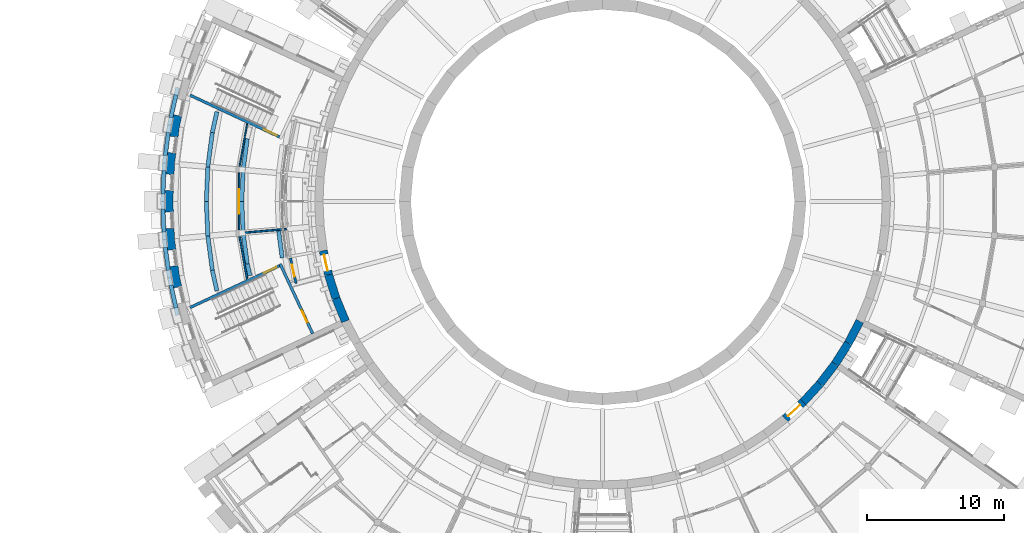
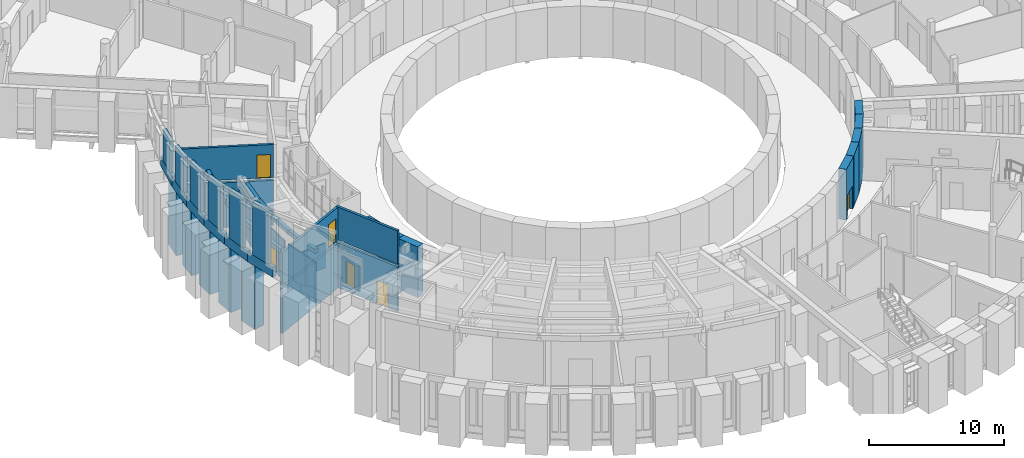
# One storey, part 40 of 66: 48 walls, 7 doors, 7 openings.
"""IFC4 building model written with IfcOpenShell, lengths in metres."""

from ifc_helpers import new_model, si_unit, direction, frame, frame_2d, origin, place, context, subcontext, project, spatial, polyline, rectangle, outline, extrude, material, layer, layer_set, type_object, element, fill, save


model = new_model("IFC4")

# Units and contexts
model_context = context("Model", 3, precision=1e-05, world=origin(), true_north=direction((0.0, 1.0)))
body_context = subcontext(model_context, "Body", "Model", "MODEL_VIEW")
ifc_project = project(units=[si_unit("LENGTHUNIT", "METRE"), si_unit("AREAUNIT", "SQUARE_METRE"), si_unit("VOLUMEUNIT", "CUBIC_METRE"), si_unit("PLANEANGLEUNIT", "RADIAN"), si_unit("MASSUNIT", "GRAM", prefix="KILO")], contexts=[model_context])

# Site, building, storey
site_placement = place(None, origin())
site = spatial("IfcSite", under=ifc_project, at=site_placement, CompositionType="ELEMENT")
building_placement = place(site_placement, origin())
building = spatial("IfcBuilding", under=site, at=building_placement, Name="Volute Hill Aquarium", CompositionType="ELEMENT")
storey_placement = place(building_placement, frame((0.0, 0.0, 4.60009765625)))
storey = spatial("IfcBuildingStorey", under=building, at=storey_placement, Name="L02", CompositionType="ELEMENT", Elevation=4.60009765625)

# Wall
ifc_material_1 = material(Name="Concrete C30/37", Category="concrete")
ifc_layer_1 = layer(ifc_material_1, 0.199951171875)
ifc_layer_set_1 = layer_set([ifc_layer_1], Name="Core wall 200 REI 60")
wall_type_1 = type_object("IfcWallType", Name="Core wall 200 REI 60", PredefinedType="SHEAR", material=ifc_layer_set_1)
wall_1_placement = place(storey_placement, frame((-23.5712890625, 4.7021484375, 0.0), z_axis=(0.0, 0.0, 1.0), x_axis=(-0.906300917592, 0.422632992999, 0.0)))
element("IfcWall", 1, at=wall_1_placement, inside=storey, type_object=wall_type_1, Name="wc/S1-A/L02/side", PredefinedType="SHEAR", context=body_context, shape_type="SweptSolid", body=[
    extrude(rectangle(XDim=7.199951171875, YDim=0.199951171875, at=frame_2d((3.60009765625, 0.0))), origin(), (0.0, 0.0, 1.0), 4.06982421875),
])

# Wall, opening, door
wall_2_placement = place(storey_placement, frame((-23.5712890625, 4.7021484375, 4.31982421875), z_axis=(0.0, 0.0, 1.0), x_axis=(-0.906300917592, 0.422632992999, 0.0)))
wall_2 = element("IfcWall", 2, at=wall_2_placement, inside=storey, type_object=wall_type_1, Name="wc/S1-A/L02/side-h", PredefinedType="SHEAR", context=body_context, shape_type="SweptSolid", body=[
    extrude(rectangle(XDim=7.199951171875, YDim=0.199951171875, at=frame_2d((3.60009765625, 0.0))), origin(), (0.0, 0.0, 1.0), 3.0),
])
opening_1_placement = place(wall_2_placement, frame((0.25, 0.0, 0.0029296875)))
opening_1 = element("IfcOpeningElement", 3, at=opening_1_placement, cuts=wall_2, Name="Opening D1.02.AG", PredefinedType="OPENING", context=body_context, shape_type="SweptSolid", body=[
    extrude(rectangle(XDim=1.0, YDim=2.10009765625, at=frame_2d((0.5, 1.050048828125))), frame((0.0, 0.10986328125, 0.0), z_axis=(0.0, -1.0, 0.0), x_axis=(1.0, 0.0, 0.0)), (0.0, 0.0, 1.0), 0.219970703125),
])
ifc_material_2 = material(Name="Timber, fire-rated", Category="wood")
door_type_1 = type_object("IfcDoorType", Name="Door 1000 x 2100 single EI1 30", OperationType="SINGLE_SWING_LEFT", PredefinedType="DOOR", material=ifc_material_2)
door_1_placement = place(opening_1_placement, origin())
door_1 = element("IfcDoor", 4, at=door_1_placement, inside=storey, type_object=door_type_1, Name="d/S1-A/L02/gd", OperationType="SINGLE_SWING_LEFT", OverallHeight=2.10009765625, OverallWidth=1.0, PredefinedType="DOOR", context=body_context, shape_type="SweptSolid", body=[
    extrude(rectangle(XDim=1.0, YDim=2.10009765625, at=frame_2d((0.5, 1.050048828125))), frame((0.0, 0.02490234375, 0.0), z_axis=(0.0, -1.0, 0.0), x_axis=(1.0, 0.0, 0.0)), (0.0, 0.0, 1.0), 0.050048828125),
])
fill(opening_1, door_1)

wall_3_placement = place(storey_placement, frame((-21.15625, -9.64453125, 0.0), z_axis=(0.0, 0.0, 1.0), x_axis=(-0.422596646043, 0.906317866288, 0.0)))
wall_3 = element("IfcWall", 5, at=wall_3_placement, inside=storey, type_object=wall_type_1, Name="wc/S1-B/L02/in", PredefinedType="SHEAR", context=body_context, shape_type="SweptSolid", body=[
    extrude(rectangle(XDim=5.599853515625, YDim=0.199951171875, at=frame_2d((2.7998046875, 0.0))), origin(), (0.0, 0.0, 1.0), 4.06982421875),
])
opening_2_placement = place(wall_3_placement, frame((0.89990234375, 0.0, 0.0)))
opening_2 = element("IfcOpeningElement", 6, at=opening_2_placement, cuts=wall_3, Name="Opening D1.02.BS", PredefinedType="OPENING", context=body_context, shape_type="SweptSolid", body=[
    extrude(rectangle(XDim=1.0, YDim=2.10009765625, at=frame_2d((0.5, 1.050048828125))), frame((0.0, 0.10986328125, 0.0), z_axis=(0.0, -1.0, 0.0), x_axis=(1.0, 0.0, 0.0)), (0.0, 0.0, 1.0), 0.219970703125),
])
door_2_placement = place(opening_2_placement, origin())
door_2 = element("IfcDoor", 7, at=door_2_placement, inside=storey, type_object=door_type_1, Name="d/S1-B/L02/st", OperationType="SINGLE_SWING_RIGHT", OverallHeight=2.10009765625, OverallWidth=1.0, PredefinedType="DOOR", context=body_context, shape_type="SweptSolid", body=[
    extrude(rectangle(XDim=1.0, YDim=2.10009765625, at=frame_2d((0.5, 1.050048828125))), frame((0.0, 0.02490234375, 0.0), z_axis=(0.0, -1.0, 0.0), x_axis=(1.0, 0.0, 0.0)), (0.0, 0.0, 1.0), 0.050048828125),
])
fill(opening_2, door_2)

# Walls
wall_4_placement = place(storey_placement, frame((-21.15625, -9.64453125, 4.31982421875), z_axis=(0.0, 0.0, 1.0), x_axis=(-0.422596646043, 0.906317866288, 0.0)))
element("IfcWall", 8, at=wall_4_placement, inside=storey, type_object=wall_type_1, Name="wc/S1-B/L02/in-h", PredefinedType="SHEAR", context=body_context, shape_type="SweptSolid", body=[
    extrude(rectangle(XDim=5.599853515625, YDim=0.199951171875, at=frame_2d((2.7998046875, 0.0))), origin(), (0.0, 0.0, 1.0), 3.0),
])
wall_5_placement = place(storey_placement, frame((-23.5712890625, -4.7021484375, 0.0), z_axis=(0.0, 0.0, 1.0), x_axis=(-0.906300917592, -0.422632992999, 0.0)))
element("IfcWall", 9, at=wall_5_placement, inside=storey, type_object=wall_type_1, Name="wc/S1-B/L02/side", PredefinedType="SHEAR", context=body_context, shape_type="SweptSolid", body=[
    extrude(rectangle(XDim=7.199951171875, YDim=0.199951171875, at=frame_2d((3.60009765625, 0.0))), origin(), (0.0, 0.0, 1.0), 4.06982421875),
])

# Wall, opening, door
wall_6_placement = place(storey_placement, frame((-23.5712890625, -4.7021484375, 4.31982421875), z_axis=(0.0, 0.0, 1.0), x_axis=(-0.906300917592, -0.422632992999, 0.0)))
wall_6 = element("IfcWall", 10, at=wall_6_placement, inside=storey, type_object=wall_type_1, Name="wc/S1-B/L02/side-h", PredefinedType="SHEAR", context=body_context, shape_type="SweptSolid", body=[
    extrude(rectangle(XDim=7.199951171875, YDim=0.199951171875, at=frame_2d((3.60009765625, 0.0))), origin(), (0.0, 0.0, 1.0), 3.0),
])
opening_3_placement = place(wall_6_placement, frame((0.25, 0.0, 0.0029296875)))
opening_3 = element("IfcOpeningElement", 11, at=opening_3_placement, cuts=wall_6, Name="Opening D1.02.BG", PredefinedType="OPENING", context=body_context, shape_type="SweptSolid", body=[
    extrude(rectangle(XDim=1.0, YDim=2.10009765625, at=frame_2d((0.5, 1.050048828125))), frame((0.0, 0.10986328125, 0.0), z_axis=(0.0, -1.0, 0.0), x_axis=(1.0, 0.0, 0.0)), (0.0, 0.0, 1.0), 0.219970703125),
])
door_3_placement = place(opening_3_placement, origin())
door_3 = element("IfcDoor", 12, at=door_3_placement, inside=storey, type_object=door_type_1, Name="d/S1-B/L02/gd", OperationType="SINGLE_SWING_LEFT", OverallHeight=2.10009765625, OverallWidth=1.0, PredefinedType="DOOR", context=body_context, shape_type="SweptSolid", body=[
    extrude(rectangle(XDim=1.0, YDim=2.10009765625, at=frame_2d((0.5, 1.050048828125))), frame((0.0, 0.02490234375, 0.0), z_axis=(0.0, -1.0, 0.0), x_axis=(1.0, 0.0, 0.0)), (0.0, 0.0, 1.0), 0.050048828125),
])
fill(opening_3, door_3)

ifc_material_3 = material(Name="Gypsum board on steel studs", Category="steel")
ifc_layer_2 = layer(ifc_material_3, 0.175048828125)
ifc_layer_set_2 = layer_set([ifc_layer_2], Name="Corridor partition 175 EI 60")
wall_type_2 = type_object("IfcWallType", Name="Corridor partition 175 EI 60", PredefinedType="PARTITIONING", material=ifc_layer_set_2)
wall_7_placement = place(storey_placement, frame((-22.361083984375, -5.99169921875, 0.0), z_axis=(0.0, 0.0, 1.0), x_axis=(-0.216536312187, 0.97627456461, 0.0)))
wall_7 = element("IfcWall", 13, at=wall_7_placement, inside=storey, type_object=wall_type_2, Name="pw/S1/L02/009", PredefinedType="PARTITIONING", context=body_context, shape_type="SweptSolid", body=[
    extrude(rectangle(XDim=1.902099609375, YDim=0.175048828125, at=frame_2d((0.951171875, 0.0))), origin(), (0.0, 0.0, 1.0), 2.25),
])
opening_4_placement = place(wall_7_placement, frame((0.5009765625, 0.0, 0.0)))
opening_4 = element("IfcOpeningElement", 14, at=opening_4_placement, cuts=wall_7, Name="Opening D1.02.02", PredefinedType="OPENING", context=body_context, shape_type="SweptSolid", body=[
    extrude(rectangle(XDim=0.89990234375, YDim=2.10009765625, at=frame_2d((0.449951171875, 1.050048828125))), frame((0.0, 0.097412109375, 0.0), z_axis=(0.0, -1.0, 0.0), x_axis=(1.0, 0.0, 0.0)), (0.0, 0.0, 1.0), 0.195068359375),
])
ifc_material_4 = material(Name="Timber, fire-rated", Category="wood")
door_type_2 = type_object("IfcDoorType", Name="Door 900 x 2100 wc single EI1 30", OperationType="SINGLE_SWING_LEFT", PredefinedType="DOOR", material=ifc_material_4)
door_4_placement = place(opening_4_placement, origin())
door_4 = element("IfcDoor", 15, at=door_4_placement, inside=storey, type_object=door_type_2, Name="d/S1/L02/02", OperationType="SINGLE_SWING_RIGHT", OverallHeight=2.10009765625, OverallWidth=0.89990234375, PredefinedType="DOOR", context=body_context, shape_type="SweptSolid", body=[
    extrude(rectangle(XDim=0.89990234375, YDim=2.10009765625, at=frame_2d((0.449951171875, 1.050048828125))), frame((0.0, 0.02490234375, 0.0), z_axis=(0.0, -1.0, 0.0), x_axis=(1.0, 0.0, 0.0)), (0.0, 0.0, 1.0), 0.050048828125),
])
fill(opening_4, door_4)

# Walls
ifc_material_5 = material(Name="Precast concrete C40/50", Category="concrete")
ifc_layer_3 = layer(ifc_material_5, 0.300048828125)
ifc_layer_set_3 = layer_set([ifc_layer_3], Name="Crown screen wall precast concrete C40/50 300")
wall_type_3 = type_object("IfcWallType", Name="Crown screen wall precast concrete C40/50 300", PredefinedType="NOTDEFINED", material=ifc_layer_set_3)
wall_8_placement = place(storey_placement, frame((0.0, 0.0, 6.659912109375)))
element("IfcWall", 16, at=wall_8_placement, inside=storey, type_object=wall_type_3, Name="Crown screen wall CSW S1 3", PredefinedType="NOTDEFINED", context=body_context, shape_type="SweptSolid", body=[
    extrude(outline(polyline([(-31.271484375, 7.80615234375), (-31.640625, 6.14111328125), (-31.344970703125, 6.0888671875), (-30.9814453125, 7.728515625), (-31.271484375, 7.80615234375)])), origin(), (0.0, 0.0, 1.0), 2.808837890625),
])
wall_9_placement = place(storey_placement, frame((0.0, 0.0, 6.659912109375)))
element("IfcWall", 17, at=wall_9_placement, inside=storey, type_object=wall_type_3, Name="Crown screen wall CSW S1 4", PredefinedType="NOTDEFINED", context=body_context, shape_type="SweptSolid", body=[
    extrude(outline(polyline([(-31.832763671875, 5.051025390625), (-32.055419921875, 3.360107421875), (-31.75634765625, 3.333984375), (-31.537109375, 4.998779296875), (-31.832763671875, 5.051025390625)])), origin(), (0.0, 0.0, 1.0), 3.205078125),
])
wall_10_placement = place(storey_placement, frame((0.0, 0.0, 6.659912109375)))
element("IfcWall", 18, at=wall_10_placement, inside=storey, type_object=wall_type_3, Name="Crown screen wall CSW S1 5", PredefinedType="NOTDEFINED", context=body_context, shape_type="SweptSolid", body=[
    extrude(outline(polyline([(-32.15185546875, 2.25732421875), (-32.226318359375, 0.553466796875), (-31.926025390625, 0.553466796875), (-31.852783203125, 2.231201171875), (-32.15185546875, 2.25732421875)])), origin(), (0.0, 0.0, 1.0), 3.601318359375),
])
wall_11_placement = place(storey_placement, frame((0.0, 0.0, 6.659912109375)))
element("IfcWall", 19, at=wall_11_placement, inside=storey, type_object=wall_type_3, Name="Crown screen wall CSW S1 6", PredefinedType="NOTDEFINED", context=body_context, shape_type="SweptSolid", body=[
    extrude(outline(polyline([(-32.226318359375, -0.553466796875), (-32.15185546875, -2.25732421875), (-31.852783203125, -2.231201171875), (-31.926025390625, -0.553466796875), (-32.226318359375, -0.553466796875)])), origin(), (0.0, 0.0, 1.0), 3.99755859375),
])
wall_12_placement = place(storey_placement, frame((0.0, 0.0, 6.659912109375)))
element("IfcWall", 20, at=wall_12_placement, inside=storey, type_object=wall_type_3, Name="Crown screen wall CSW S1 7", PredefinedType="NOTDEFINED", context=body_context, shape_type="SweptSolid", body=[
    extrude(outline(polyline([(-32.055419921875, -3.360107421875), (-31.832763671875, -5.051025390625), (-31.537109375, -4.998779296875), (-31.75634765625, -3.333984375), (-32.055419921875, -3.360107421875)])), origin(), (0.0, 0.0, 1.0), 4.393798828125),
])
wall_13_placement = place(storey_placement, frame((0.0, 0.0, 6.659912109375)))
element("IfcWall", 21, at=wall_13_placement, inside=storey, type_object=wall_type_3, Name="Crown screen wall CSW S1 8", PredefinedType="NOTDEFINED", context=body_context, shape_type="SweptSolid", body=[
    extrude(outline(polyline([(-31.640625, -6.14111328125), (-31.271484375, -7.80615234375), (-30.9814453125, -7.728515625), (-31.3447265625, -6.089111328125), (-31.640625, -6.14111328125)])), origin(), (0.0, 0.0, 1.0), 4.7900390625),
])

# Wall, opening, door
ifc_material_6 = material(Name="Concrete C35/45", Category="concrete")
ifc_layer_4 = layer(ifc_material_6, 0.60009765625)
ifc_layer_set_4 = layer_set([ifc_layer_4], Name="Drum wall C35/45 600")
wall_type_4 = type_object("IfcWallType", Name="Drum wall C35/45 600", PredefinedType="SHEAR", material=ifc_layer_set_4)
wall_14_placement = place(storey_placement, frame((-20.385498046875, -3.594482421875, 0.0), z_axis=(0.0, 0.0, 1.0), x_axis=(0.216429453554, -0.976298259567, 0.0)))
wall_14 = element("IfcWall", 22, at=wall_14_placement, inside=storey, type_object=wall_type_4, Name="sw/DR/L02/38", PredefinedType="SHEAR", context=body_context, shape_type="SweptSolid", body=[
    extrude(rectangle(XDim=1.805908203125, YDim=0.60009765625, at=frame_2d((0.90283203125, 0.0))), origin(), (0.0, 0.0, 1.0), 4.599853515625),
])
opening_5_placement = place(wall_14_placement, frame((0.302978515625, 0.0, 0.0)))
opening_5 = element("IfcOpeningElement", 23, at=opening_5_placement, cuts=wall_14, Name="Opening D1.02.R2", PredefinedType="OPENING", context=body_context, shape_type="SweptSolid", body=[
    extrude(rectangle(XDim=1.199951171875, YDim=2.10009765625, at=frame_2d((0.60009765625, 1.050048828125))), frame((0.0, 0.31005859375, 0.0), z_axis=(0.0, -1.0, 0.0), x_axis=(1.0, 0.0, 0.0)), (0.0, 0.0, 1.0), 0.6201171875),
])
ifc_material_7 = material(Name="Timber", Category="wood")
door_type_3 = type_object("IfcDoorType", Name="Door 1200 x 2100 drum double", OperationType="DOUBLE_DOOR_SINGLE_SWING", PredefinedType="DOOR", material=ifc_material_7)
door_5_placement = place(opening_5_placement, origin())
door_5 = element("IfcDoor", 24, at=door_5_placement, inside=storey, type_object=door_type_3, Name="d/S1/L02/dr2", OperationType="SINGLE_SWING_LEFT", OverallHeight=2.10009765625, OverallWidth=1.199951171875, PredefinedType="DOOR", context=body_context, shape_type="SweptSolid", body=[
    extrude(rectangle(XDim=1.199951171875, YDim=2.10009765625, at=frame_2d((0.60009765625, 1.050048828125))), frame((0.0, 0.02490234375, 0.0), z_axis=(0.0, -1.0, 0.0), x_axis=(1.0, 0.0, 0.0)), (0.0, 0.0, 1.0), 0.050048828125),
])
fill(opening_5, door_5)

# Walls
wall_15_placement = place(storey_placement, frame((-19.99462890625, -5.357666015625, 0.0), z_axis=(0.0, 0.0, 1.0), x_axis=(0.300691330354, -0.953721512733, 0.0)))
element("IfcWall", 25, at=wall_15_placement, inside=storey, type_object=wall_type_4, Name="sw/DR/L02/39", PredefinedType="SHEAR", context=body_context, shape_type="SweptSolid", body=[
    extrude(rectangle(XDim=1.8056640625, YDim=0.60009765625, at=frame_2d((0.90283203125, 0.0))), origin(), (0.0, 0.0, 1.0), 4.599853515625),
])
wall_16_placement = place(storey_placement, frame((-19.45166015625, -7.079833984375, 0.0), z_axis=(0.0, 0.0, 1.0), x_axis=(0.382713954298, -0.923866889322, 0.0)))
element("IfcWall", 26, at=wall_16_placement, inside=storey, type_object=wall_type_4, Name="sw/DR/L02/40", PredefinedType="SHEAR", context=body_context, shape_type="SweptSolid", body=[
    extrude(rectangle(XDim=1.805908203125, YDim=0.60009765625, at=frame_2d((0.90283203125, 0.0))), origin(), (0.0, 0.0, 1.0), 4.599853515625),
])

# Wall, opening, door
wall_17_placement = place(storey_placement, frame((13.3056640625, -15.857177734375, 0.0), z_axis=(0.0, 0.0, 1.0), x_axis=(0.737322466268, 0.675540954152, 0.0)))
wall_17 = element("IfcWall", 27, at=wall_17_placement, inside=storey, type_object=wall_type_4, Name="sw/DR/L02/62", PredefinedType="SHEAR", context=body_context, shape_type="SweptSolid", body=[
    extrude(rectangle(XDim=1.805908203125, YDim=0.60009765625, at=frame_2d((0.90283203125, 0.0))), origin(), (0.0, 0.0, 1.0), 4.599853515625),
])
opening_6_placement = place(wall_17_placement, frame((0.302978515625, 0.0, 0.0)))
opening_6 = element("IfcOpeningElement", 28, at=opening_6_placement, cuts=wall_17, Name="Opening D3.02.R2", PredefinedType="OPENING", context=body_context, shape_type="SweptSolid", body=[
    extrude(rectangle(XDim=1.199951171875, YDim=2.10009765625, at=frame_2d((0.60009765625, 1.050048828125))), frame((0.0, 0.31005859375, 0.0), z_axis=(0.0, -1.0, 0.0), x_axis=(1.0, 0.0, 0.0)), (0.0, 0.0, 1.0), 0.6201171875),
])
door_6_placement = place(opening_6_placement, origin())
door_6 = element("IfcDoor", 29, at=door_6_placement, inside=storey, type_object=door_type_3, Name="d/S3/L02/dr2", OperationType="SINGLE_SWING_LEFT", OverallHeight=2.10009765625, OverallWidth=1.199951171875, PredefinedType="DOOR", context=body_context, shape_type="SweptSolid", body=[
    extrude(rectangle(XDim=1.199951171875, YDim=2.10009765625, at=frame_2d((0.60009765625, 1.050048828125))), frame((0.0, 0.02490234375, 0.0), z_axis=(0.0, -1.0, 0.0), x_axis=(1.0, 0.0, 0.0)), (0.0, 0.0, 1.0), 0.050048828125),
])
fill(opening_6, door_6)

# Walls
wall_18_placement = place(storey_placement, frame((14.63720703125, -14.63720703125, 0.0), z_axis=(0.0, 0.0, 1.0), x_axis=(0.675540954152, 0.737322466268, 0.0)))
element("IfcWall", 30, at=wall_18_placement, inside=storey, type_object=wall_type_4, Name="sw/DR/L02/63", PredefinedType="SHEAR", context=body_context, shape_type="SweptSolid", body=[
    extrude(rectangle(XDim=1.805908203125, YDim=0.60009765625, at=frame_2d((0.90283203125, 0.0))), origin(), (0.0, 0.0, 1.0), 4.599853515625),
])
wall_19_placement = place(storey_placement, frame((15.857177734375, -13.3056640625, 0.0), z_axis=(0.0, 0.0, 1.0), x_axis=(0.608704004289, 0.793397400526, 0.0)))
element("IfcWall", 31, at=wall_19_placement, inside=storey, type_object=wall_type_4, Name="sw/DR/L02/64", PredefinedType="SHEAR", context=body_context, shape_type="SweptSolid", body=[
    extrude(rectangle(XDim=1.8056640625, YDim=0.60009765625, at=frame_2d((0.90283203125, 0.0))), origin(), (0.0, 0.0, 1.0), 4.599853515625),
])
for number, where, z_axis, x_axis, name in (
    (32, (16.956298828125, -11.873046875, 0.0), (0.0, 0.0, 1.0), (0.537391510251, 0.843332890803, 0.0), "sw/DR/L02/65"),
    (33, (17.9267578125, -10.35009765625, 0.0), (0.0, 0.0, 1.0), (0.461701764231, 0.887035219654, 0.0), "sw/DR/L02/66"),
):
    element("IfcWall", number, at=place(storey_placement, frame(where, z_axis=z_axis, x_axis=x_axis)), inside=storey, type_object=wall_type_4, Name=name, PredefinedType="SHEAR", context=body_context, shape_type="SweptSolid", body=[
        extrude(rectangle(XDim=1.805908203125, YDim=0.60009765625, at=frame_2d((0.90283203125, 0.0))), origin(), (0.0, 0.0, 1.0), 4.599853515625),
    ])

# Wall, opening, door
ifc_material_8 = material(Name="Gypsum board on steel studs", Category="steel")
ifc_layer_5 = layer(ifc_material_8, 0.10009765625)
ifc_layer_set_5 = layer_set([ifc_layer_5], Name="Light partition 100")
wall_type_5 = type_object("IfcWallType", Name="Light partition 100", PredefinedType="PARTITIONING", material=ifc_layer_set_5)
wall_20_placement = place(storey_placement, frame((-26.523681640625, -2.08056640625, 0.0), z_axis=(0.0, 0.0, 1.0), x_axis=(0.0, 1.0, 0.0)))
wall_20 = element("IfcWall", 34, at=wall_20_placement, inside=storey, type_object=wall_type_5, Name="pw/S1/L02/001", PredefinedType="PARTITIONING", context=body_context, shape_type="SweptSolid", body=[
    extrude(rectangle(XDim=4.1611328125, YDim=0.10009765625, at=frame_2d((2.08056640625, 0.0))), origin(), (0.0, 0.0, 1.0), 3.68994140625),
])
opening_7_placement = place(wall_20_placement, frame((1.180419921875, 0.0, 0.0)))
opening_7 = element("IfcOpeningElement", 35, at=opening_7_placement, cuts=wall_20, Name="Opening D1.02.03", PredefinedType="OPENING", context=body_context, shape_type="SweptSolid", body=[
    extrude(rectangle(XDim=1.800048828125, YDim=2.39990234375, at=frame_2d((0.89990234375, 1.199951171875))), frame((0.0, 0.06005859375, 0.0), z_axis=(0.0, -1.0, 0.0), x_axis=(1.0, 0.0, 0.0)), (0.0, 0.0, 1.0), 0.1201171875),
])
ifc_material_9 = material(Name="Timber", Category="wood")
door_type_4 = type_object("IfcDoorType", Name="Door 1800 x 2400 gallery double", OperationType="DOUBLE_DOOR_SINGLE_SWING", PredefinedType="DOOR", material=ifc_material_9)
door_7_placement = place(opening_7_placement, origin())
door_7 = element("IfcDoor", 36, at=door_7_placement, inside=storey, type_object=door_type_4, Name="d/S1/L02/03", OperationType="SINGLE_SWING_LEFT", OverallHeight=2.39990234375, OverallWidth=1.800048828125, PredefinedType="DOOR", context=body_context, shape_type="SweptSolid", body=[
    extrude(rectangle(XDim=1.800048828125, YDim=2.39990234375, at=frame_2d((0.89990234375, 1.199951171875))), frame((0.0, 0.02490234375, 0.0), z_axis=(0.0, -1.0, 0.0), x_axis=(1.0, 0.0, 0.0)), (0.0, 0.0, 1.0), 0.050048828125),
])
fill(opening_7, door_7)

# Walls
wall_21_placement = place(storey_placement, frame((-26.482177734375, 2.556640625, 0.0), z_axis=(0.0, 0.0, 1.0), x_axis=(0.173648360974, 0.98480772069, 0.0)))
element("IfcWall", 37, at=wall_21_placement, inside=storey, type_object=wall_type_5, Name="pw/S1/L02/003", PredefinedType="PARTITIONING", context=body_context, shape_type="SweptSolid", body=[
    extrude(rectangle(XDim=3.152099609375, YDim=0.10009765625, at=frame_2d((1.576171875, 0.0))), origin(), (0.0, 0.0, 1.0), 3.68994140625),
])
ifc_material_10 = material(Name="Precast concrete C40/50", Category="concrete")
ifc_layer_6 = layer(ifc_material_10, 0.89990234375)
ifc_layer_set_6 = layer_set([ifc_layer_6], Name="Outer pier precast concrete C40/50 900")
wall_type_6 = type_object("IfcWallType", Name="Outer pier precast concrete C40/50 900", PredefinedType="NOTDEFINED", material=ifc_layer_set_6)
wall_22_placement = place(storey_placement, origin())
element("IfcWall", 38, at=wall_22_placement, inside=storey, type_object=wall_type_6, Name="Outer pier OWP S1 L02 4", PredefinedType="NOTDEFINED", context=body_context, shape_type="SweptSolid", body=[
    extrude(outline(polyline([(-30.70654296875, 6.196533203125), (-31.585205078125, 6.39111328125), (-31.8662109375, 4.796875), (-30.973876953125, 4.679443359375), (-30.873291015625, 5.44384765625), (-30.70654296875, 6.196533203125)])), origin(), (0.0, 0.0, 1.0), 5.760009765625),
])
wall_23_placement = place(storey_placement, origin())
element("IfcWall", 39, at=wall_23_placement, inside=storey, type_object=wall_type_6, Name="Outer pier OWP S1 L02 5", PredefinedType="NOTDEFINED", context=body_context, shape_type="SweptSolid", body=[
    extrude(outline(polyline([(-31.129638671875, 3.49658203125), (-32.02197265625, 3.614013671875), (-32.1630859375, 2.001220703125), (-31.263916015625, 1.962158203125), (-31.230224609375, 2.732421875), (-31.129638671875, 3.49658203125)])), origin(), (0.0, 0.0, 1.0), 5.760009765625),
])
wall_24_placement = place(storey_placement, origin())
element("IfcWall", 40, at=wall_24_placement, inside=storey, type_object=wall_type_6, Name="Outer pier OWP S1 L02 6", PredefinedType="NOTDEFINED", context=body_context, shape_type="SweptSolid", body=[
    extrude(outline(polyline([(-31.31591796875, 0.770263671875), (-32.215087890625, 0.8095703125), (-32.215087890625, -0.8095703125), (-31.31591796875, -0.770263671875), (-31.349609375, 0.0), (-31.31591796875, 0.770263671875)])), origin(), (0.0, 0.0, 1.0), 5.760009765625),
])
wall_25_placement = place(storey_placement, origin())
element("IfcWall", 41, at=wall_25_placement, inside=storey, type_object=wall_type_6, Name="Outer pier OWP S1 L02 7", PredefinedType="NOTDEFINED", context=body_context, shape_type="SweptSolid", body=[
    extrude(outline(polyline([(-31.263916015625, -1.962158203125), (-32.1630859375, -2.00146484375), (-32.02197265625, -3.6142578125), (-31.129638671875, -3.496826171875), (-31.230224609375, -2.732421875), (-31.263916015625, -1.962158203125)])), origin(), (0.0, 0.0, 1.0), 5.760009765625),
])
wall_26_placement = place(storey_placement, origin())
element("IfcWall", 42, at=wall_26_placement, inside=storey, type_object=wall_type_6, Name="Outer pier OWP S1 L02 8", PredefinedType="NOTDEFINED", context=body_context, shape_type="SweptSolid", body=[
    extrude(outline(polyline([(-30.973876953125, -4.679443359375), (-31.8662109375, -4.797119140625), (-31.5849609375, -6.391357421875), (-30.706298828125, -6.196533203125), (-30.873291015625, -5.44384765625), (-30.973876953125, -4.679443359375)])), origin(), (0.0, 0.0, 1.0), 5.760009765625),
])
ifc_material_11 = material(Name="Precast concrete C40/50", Category="concrete")
ifc_layer_7 = layer(ifc_material_11, 0.300048828125)
ifc_layer_set_7 = layer_set([ifc_layer_7], Name="Roof edge parapet precast concrete C40/50 300")
wall_type_7 = type_object("IfcWallType", Name="Roof edge parapet precast concrete C40/50 300", PredefinedType="PARAPET", material=ifc_layer_set_7)
wall_27_placement = place(storey_placement, frame((0.0, 0.0, 5.760009765625)))
element("IfcWall", 43, at=wall_27_placement, inside=storey, type_object=wall_type_7, Name="Roof edge parapet PAR S1 3", PredefinedType="PARAPET", context=body_context, shape_type="SweptSolid", body=[
    extrude(outline(polyline([(-30.861328125, 8.269287109375), (-31.1513671875, 8.346923828125), (-31.760498046875, 5.60009765625), (-31.46484375, 5.548095703125), (-30.861328125, 8.269287109375)])), origin(), (0.0, 0.0, 1.0), 0.89990234375),
])
wall_28_placement = place(storey_placement, frame((0.0, 0.0, 5.760009765625)))
element("IfcWall", 44, at=wall_28_placement, inside=storey, type_object=wall_type_7, Name="Roof edge parapet PAR S1 4", PredefinedType="PARAPET", context=body_context, shape_type="SweptSolid", body=[
    extrude(outline(polyline([(-31.46484375, 5.548095703125), (-31.760498046875, 5.600341796875), (-32.127685546875, 2.810546875), (-31.82861328125, 2.784423828125), (-31.46484375, 5.548095703125)])), origin(), (0.0, 0.0, 1.0), 0.89990234375),
])
wall_29_placement = place(storey_placement, frame((0.0, 0.0, 5.760009765625)))
element("IfcWall", 45, at=wall_29_placement, inside=storey, type_object=wall_type_7, Name="Roof edge parapet PAR S1 5", PredefinedType="PARAPET", context=body_context, shape_type="SweptSolid", body=[
    extrude(outline(polyline([(-31.82861328125, 2.78466796875), (-32.127685546875, 2.810791015625), (-32.25048828125, 0.0), (-31.9501953125, 0.0), (-31.82861328125, 2.78466796875)])), origin(), (0.0, 0.0, 1.0), 0.89990234375),
])
wall_30_placement = place(storey_placement, frame((0.0, 0.0, 5.760009765625)))
element("IfcWall", 46, at=wall_30_placement, inside=storey, type_object=wall_type_7, Name="Roof edge parapet PAR S1 6", PredefinedType="PARAPET", context=body_context, shape_type="SweptSolid", body=[
    extrude(outline(polyline([(-31.9501953125, 0.0), (-32.25048828125, 0.0), (-32.127685546875, -2.81103515625), (-31.82861328125, -2.78466796875), (-31.9501953125, 0.0)])), origin(), (0.0, 0.0, 1.0), 0.89990234375),
])
wall_31_placement = place(storey_placement, frame((0.0, 0.0, 5.760009765625)))
element("IfcWall", 47, at=wall_31_placement, inside=storey, type_object=wall_type_7, Name="Roof edge parapet PAR S1 7", PredefinedType="PARAPET", context=body_context, shape_type="SweptSolid", body=[
    extrude(outline(polyline([(-31.82861328125, -2.78466796875), (-32.127685546875, -2.810791015625), (-31.760498046875, -5.600341796875), (-31.46484375, -5.54833984375), (-31.82861328125, -2.78466796875)])), origin(), (0.0, 0.0, 1.0), 0.89990234375),
])
wall_32_placement = place(storey_placement, frame((0.0, 0.0, 5.760009765625)))
element("IfcWall", 48, at=wall_32_placement, inside=storey, type_object=wall_type_7, Name="Roof edge parapet PAR S1 8", PredefinedType="PARAPET", context=body_context, shape_type="SweptSolid", body=[
    extrude(outline(polyline([(-31.46484375, -5.548095703125), (-31.760498046875, -5.600341796875), (-31.1513671875, -8.34716796875), (-30.861328125, -8.269287109375), (-31.46484375, -5.548095703125)])), origin(), (0.0, 0.0, 1.0), 0.89990234375),
])
ifc_material_12 = material(Name="Concrete C35/45", Category="concrete")
ifc_layer_8 = layer(ifc_material_12, 0.300048828125)
ifc_layer_set_8 = layer_set([ifc_layer_8], Name="Terrace riser wall 300 C35/45")
wall_type_8 = type_object("IfcWallType", Name="Terrace riser wall 300 C35/45", PredefinedType="SOLIDWALL", material=ifc_layer_set_8)
wall_33_placement = place(storey_placement, frame((-23.647216796875, -2.06884765625, 3.599853515625), z_axis=(0.0, 0.0, 1.0), x_axis=(0.130503305206, -0.991447874238, 0.0)))
element("IfcWall", 49, at=wall_33_placement, inside=storey, type_object=wall_type_8, Name="kb/S1/L02/1.6", PredefinedType="SOLIDWALL", context=body_context, shape_type="SweptSolid", body=[
    extrude(rectangle(XDim=2.071044921875, YDim=0.300048828125, at=frame_2d((1.03564453125, 0.0))), origin(), (0.0, 0.0, 1.0), 0.360107421875),
])
for number, where, z_axis, x_axis, name in (
    (50, (-25.925048828125, 4.5712890625, 4.31982421875), (0.0, 0.0, 1.0), (-0.130548012207, -0.991441988474, 0.0), "kb/S1/L02/2.3"),
    (51, (-26.224853515625, 2.29443359375, 4.31982421875), (0.0, 0.0, 1.0), (-0.043584846661, -0.999049729063, 0.0), "kb/S1/L02/2.4"),
    (52, (-26.324951171875, 0.0, 4.31982421875), (0.0, 0.0, 1.0), (0.043584846661, -0.999049729063, 0.0), "kb/S1/L02/2.5"),
    (53, (-26.224853515625, -2.29443359375, 4.31982421875), (0.0, 0.0, 1.0), (0.130548012207, -0.991441988474, 0.0), "kb/S1/L02/2.6"),
):
    element("IfcWall", number, at=place(storey_placement, frame(where, z_axis=z_axis, x_axis=x_axis)), inside=storey, type_object=wall_type_8, Name=name, PredefinedType="SOLIDWALL", context=body_context, shape_type="SweptSolid", body=[
        extrude(rectangle(XDim=2.296630859375, YDim=0.300048828125, at=frame_2d((1.1484375, 0.0))), origin(), (0.0, 0.0, 1.0), 0.380126953125),
    ])
wall_34_placement = place(storey_placement, frame((-25.925048828125, -4.5712890625, 4.31982421875), z_axis=(0.0, 0.0, 1.0), x_axis=(0.216451718059, -0.976293323622, 0.0)))
element("IfcWall", 54, at=wall_34_placement, inside=storey, type_object=wall_type_8, Name="kb/S1/L02/2.7", PredefinedType="SOLIDWALL", context=body_context, shape_type="SweptSolid", body=[
    extrude(rectangle(XDim=0.864013671875, YDim=0.300048828125, at=frame_2d((0.43212890625, 0.0))), origin(), (0.0, 0.0, 1.0), 0.380126953125),
])
wall_35_placement = place(storey_placement, frame((-28.1376953125, 6.53369140625, 5.039794921875), z_axis=(0.0, 0.0, 1.0), x_axis=(-0.216580209336, -0.976264827249, 0.0)))
element("IfcWall", 55, at=wall_35_placement, inside=storey, type_object=wall_type_8, Name="kb/S1/L02/3.2", PredefinedType="SOLIDWALL", context=body_context, shape_type="SweptSolid", body=[
    extrude(rectangle(XDim=1.550048828125, YDim=0.300048828125, at=frame_2d((0.77490234375, 0.0))), origin(), (0.0, 0.0, 1.0), 0.420166015625),
])
wall_36_placement = place(storey_placement, frame((-28.473388671875, 5.0205078125, 5.039794921875), z_axis=(0.0, 0.0, 1.0), x_axis=(-0.13048956957, -0.991449682149, 0.0)))
element("IfcWall", 56, at=wall_36_placement, inside=storey, type_object=wall_type_8, Name="kb/S1/L02/3.3", PredefinedType="SOLIDWALL", context=body_context, shape_type="SweptSolid", body=[
    extrude(rectangle(XDim=2.52197265625, YDim=0.300048828125, at=frame_2d((1.260986328125, 0.0))), origin(), (0.0, 0.0, 1.0), 0.420166015625),
])
for number, where, z_axis, x_axis, name in (
    (57, (-28.802490234375, 2.52001953125, 5.039794921875), (0.0, 0.0, 1.0), (-0.043651435443, -0.999046821818, 0.0), "kb/S1/L02/3.4"),
    (58, (-28.91259765625, 0.0, 5.039794921875), (0.0, 0.0, 1.0), (0.043651435443, -0.999046821818, 0.0), "kb/S1/L02/3.5"),
):
    element("IfcWall", number, at=place(storey_placement, frame(where, z_axis=z_axis, x_axis=x_axis)), inside=storey, type_object=wall_type_8, Name=name, PredefinedType="SOLIDWALL", context=body_context, shape_type="SweptSolid", body=[
        extrude(rectangle(XDim=2.5224609375, YDim=0.300048828125, at=frame_2d((1.26123046875, 0.0))), origin(), (0.0, 0.0, 1.0), 0.420166015625),
    ])
wall_37_placement = place(storey_placement, frame((-28.802490234375, -2.52001953125, 5.039794921875), z_axis=(0.0, 0.0, 1.0), x_axis=(0.13048956957, -0.991449682149, 0.0)))
element("IfcWall", 59, at=wall_37_placement, inside=storey, type_object=wall_type_8, Name="kb/S1/L02/3.6", PredefinedType="SOLIDWALL", context=body_context, shape_type="SweptSolid", body=[
    extrude(rectangle(XDim=2.52197265625, YDim=0.300048828125, at=frame_2d((1.260986328125, 0.0))), origin(), (0.0, 0.0, 1.0), 0.420166015625),
])
wall_38_placement = place(storey_placement, frame((-28.473388671875, -5.0205078125, 5.039794921875), z_axis=(0.0, 0.0, 1.0), x_axis=(0.216580209336, -0.976264827249, 0.0)))
element("IfcWall", 60, at=wall_38_placement, inside=storey, type_object=wall_type_8, Name="kb/S1/L02/3.7", PredefinedType="SOLIDWALL", context=body_context, shape_type="SweptSolid", body=[
    extrude(rectangle(XDim=1.550048828125, YDim=0.300048828125, at=frame_2d((0.77490234375, 0.0))), origin(), (0.0, 0.0, 1.0), 0.420166015625),
])
ifc_material_13 = material(Name="Gypsum board on steel studs, tiled", Category="steel")
ifc_layer_9 = layer(ifc_material_13, 0.125)
ifc_layer_set_9 = layer_set([ifc_layer_9], Name="Wet-area partition 125")
wall_type_9 = type_object("IfcWallType", Name="Wet-area partition 125", PredefinedType="PARTITIONING", material=ifc_layer_set_9)
wall_39_placement = place(storey_placement, frame((-23.06201171875, -2.017578125, 0.0), z_axis=(0.0, 0.0, 1.0), x_axis=(-0.996193717496, -0.087166950281, 0.0)))
element("IfcWall", 61, at=wall_39_placement, inside=storey, type_object=wall_type_9, Name="pw/S1/L02/002", PredefinedType="PARTITIONING", context=body_context, shape_type="SweptSolid", body=[
    extrude(rectangle(XDim=3.23486328125, YDim=0.125, at=frame_2d((1.617431640625, 0.0))), origin(), (0.0, 0.0, 1.0), 2.25),
])
wall_40_placement = place(storey_placement, frame((-25.934814453125, -5.660888671875, 0.0), z_axis=(0.0, 0.0, 1.0), x_axis=(-0.173648360974, 0.98480772069, 0.0)))
element("IfcWall", 62, at=wall_40_placement, inside=storey, type_object=wall_type_9, Name="pw/S1/L02/004", PredefinedType="PARTITIONING", context=body_context, shape_type="SweptSolid", body=[
    extrude(rectangle(XDim=3.152099609375, YDim=0.125, at=frame_2d((1.576171875, 0.0))), origin(), (0.0, 0.0, 1.0), 3.68994140625),
])

save(model, "model.ifc")
